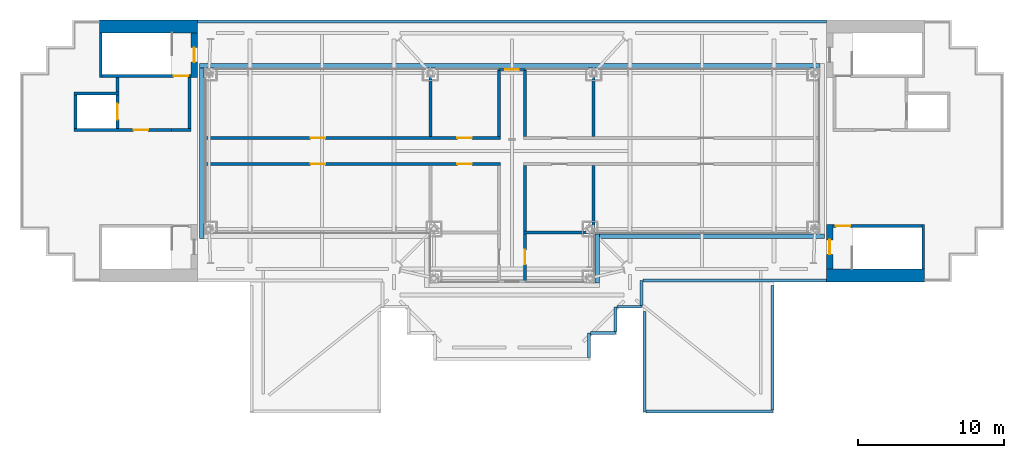
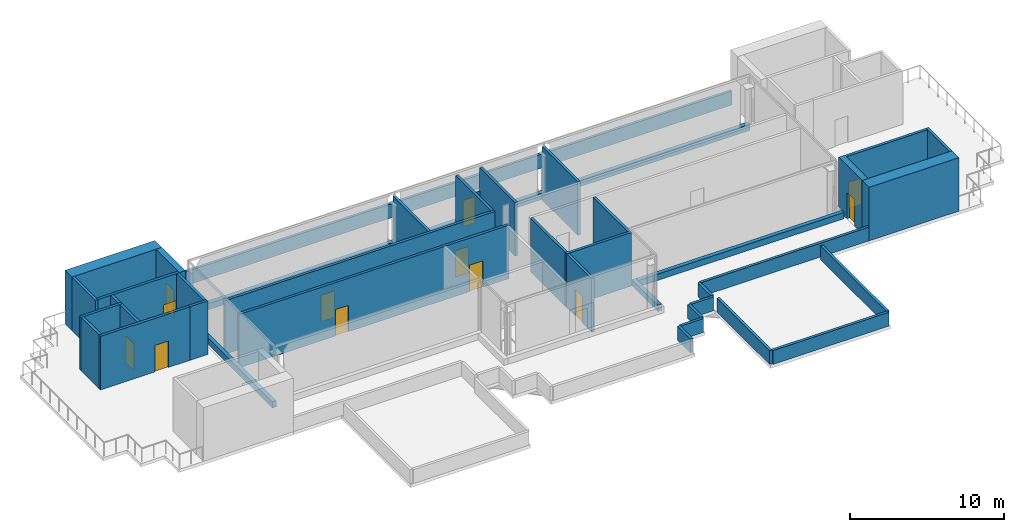
# One storey, part 4 of 8: 39 walls, 12 doors, 12 openings.
"""IFC4 building model written with IfcOpenShell, lengths in metres."""

from ifc_helpers import new_model, si_unit, direction, frame, frame_2d, origin, place, context, subcontext, project, spatial, rectangle, extrude, material, layer, layer_set, type_object, element, fill, save


model = new_model("IFC4")

# Units and contexts
model_context = context("Model", 3, precision=1e-05, world=origin(), true_north=direction((0.0, 1.0)))
body_context = subcontext(model_context, "Body", "Model", "MODEL_VIEW")
ifc_project = project(units=[si_unit("LENGTHUNIT", "METRE"), si_unit("AREAUNIT", "SQUARE_METRE"), si_unit("VOLUMEUNIT", "CUBIC_METRE"), si_unit("PLANEANGLEUNIT", "RADIAN"), si_unit("MASSUNIT", "GRAM", prefix="KILO")], contexts=[model_context])

# Site, building, storey
site_placement = place(None, origin())
site = spatial("IfcSite", under=ifc_project, at=site_placement, CompositionType="ELEMENT")
building_placement = place(site_placement, origin())
building = spatial("IfcBuilding", under=site, at=building_placement, Name="Perihelion Cross Residences", CompositionType="ELEMENT")
storey_placement = place(building_placement, frame((0.0, 0.0, 298.800048828125)))
storey = spatial("IfcBuildingStorey", under=building, at=storey_placement, Name="L76", CompositionType="ELEMENT", Elevation=298.800048828125)

# Wall, openings, doors
ifc_material_1 = material(Name="Plasterboard partition")
ifc_layer_1 = layer(ifc_material_1, 0.199951171875)
ifc_layer_set_1 = layer_set([ifc_layer_1], Name="Apartment riser wall 200")
wall_type_1 = type_object("IfcWallType", Name="Apartment riser wall 200", PredefinedType="PARTITIONING", material=ifc_layer_set_1)
wall_1_placement = place(storey_placement, frame((-21.057373046875, 0.89990234375, 0.0), z_axis=(0.0, 0.0, 1.0), x_axis=(1.0, 0.0, 0.0)))
wall_1 = element("IfcWall", 1, at=wall_1_placement, inside=storey, type_object=wall_type_1, Name="Partition L76 W003", PredefinedType="PARTITIONING", context=body_context, shape_type="SweptSolid", body=[
    extrude(rectangle(XDim=20.25732421875, YDim=0.199951171875, at=frame_2d((10.128662109375, 0.0))), origin(), (0.0, 0.0, 1.0), 4.25),
])
opening_1_placement = place(wall_1_placement, frame((7.22509765625, 0.0, 0.0)))
opening_1 = element("IfcOpeningElement", 2, at=opening_1_placement, cuts=wall_1, Name="Opening L76.A03", PredefinedType="OPENING", context=body_context, shape_type="SweptSolid", body=[
    extrude(rectangle(XDim=1.0, YDim=2.10009765625, at=frame_2d((0.5, 1.050048828125))), frame((0.0, 0.10986328125, 0.0), z_axis=(0.0, -1.0, 0.0), x_axis=(1.0, 0.0, 0.0)), (0.0, 0.0, 1.0), 0.219970703125),
])
opening_2_placement = place(wall_1_placement, frame((17.303955078125, 0.0, 0.0)))
opening_2 = element("IfcOpeningElement", 3, at=opening_2_placement, cuts=wall_1, Name="Opening L76.A07", PredefinedType="OPENING", context=body_context, shape_type="SweptSolid", body=[
    extrude(rectangle(XDim=1.0, YDim=2.10009765625, at=frame_2d((0.5, 1.050048828125))), frame((0.0, 0.10986328125, 0.0), z_axis=(0.0, -1.0, 0.0), x_axis=(1.0, 0.0, 0.0)), (0.0, 0.0, 1.0), 0.219970703125),
])
ifc_material_2 = material(Name="Steel door leaf", Category="steel")
door_type_1 = type_object("IfcDoorType", Name="Plant floor door 1000 x 2100", OperationType="SINGLE_SWING_LEFT", PredefinedType="DOOR", material=ifc_material_2)
door_1_placement = place(opening_1_placement, origin())
door_1 = element("IfcDoor", 4, at=door_1_placement, inside=storey, type_object=door_type_1, Name="Door L76.A03", OperationType="SINGLE_SWING_LEFT", OverallHeight=2.10009765625, OverallWidth=1.0, PredefinedType="DOOR", context=body_context, shape_type="SweptSolid", body=[
    extrude(rectangle(XDim=1.0, YDim=2.10009765625, at=frame_2d((0.5, 1.050048828125))), frame((0.0, 0.02490234375, 0.0), z_axis=(0.0, -1.0, 0.0), x_axis=(1.0, 0.0, 0.0)), (0.0, 0.0, 1.0), 0.050048828125),
])
fill(opening_1, door_1)
door_2_placement = place(opening_2_placement, origin())
door_2 = element("IfcDoor", 5, at=door_2_placement, inside=storey, type_object=door_type_1, Name="Door L76.A07", OperationType="SINGLE_SWING_LEFT", OverallHeight=2.10009765625, OverallWidth=1.0, PredefinedType="DOOR", context=body_context, shape_type="SweptSolid", body=[
    extrude(rectangle(XDim=1.0, YDim=2.10009765625, at=frame_2d((0.5, 1.050048828125))), frame((0.0, 0.02490234375, 0.0), z_axis=(0.0, -1.0, 0.0), x_axis=(1.0, 0.0, 0.0)), (0.0, 0.0, 1.0), 0.050048828125),
])
fill(opening_2, door_2)

wall_2_placement = place(storey_placement, frame((-0.800048828125, -0.89990234375, 0.0), z_axis=(0.0, 0.0, 1.0), x_axis=(-1.0, 0.0, 0.0)))
wall_2 = element("IfcWall", 6, at=wall_2_placement, inside=storey, type_object=wall_type_1, Name="Partition L76 W004", PredefinedType="PARTITIONING", context=body_context, shape_type="SweptSolid", body=[
    extrude(rectangle(XDim=20.25732421875, YDim=0.199951171875, at=frame_2d((10.128662109375, 0.0))), origin(), (0.0, 0.0, 1.0), 4.25),
])
opening_3_placement = place(wall_2_placement, frame((12.0322265625, 0.0, 0.0)))
opening_3 = element("IfcOpeningElement", 7, at=opening_3_placement, cuts=wall_2, Name="Opening L76.A04", PredefinedType="OPENING", context=body_context, shape_type="SweptSolid", body=[
    extrude(rectangle(XDim=1.0, YDim=2.10009765625, at=frame_2d((0.5, 1.050048828125))), frame((0.0, 0.10986328125, 0.0), z_axis=(0.0, -1.0, 0.0), x_axis=(1.0, 0.0, 0.0)), (0.0, 0.0, 1.0), 0.219970703125),
])
opening_4_placement = place(wall_2_placement, frame((1.95361328125, 0.0, 0.0)))
opening_4 = element("IfcOpeningElement", 8, at=opening_4_placement, cuts=wall_2, Name="Opening L76.A08", PredefinedType="OPENING", context=body_context, shape_type="SweptSolid", body=[
    extrude(rectangle(XDim=1.0, YDim=2.10009765625, at=frame_2d((0.5, 1.050048828125))), frame((0.0, 0.10986328125, 0.0), z_axis=(0.0, -1.0, 0.0), x_axis=(1.0, 0.0, 0.0)), (0.0, 0.0, 1.0), 0.219970703125),
])
door_3_placement = place(opening_3_placement, origin())
door_3 = element("IfcDoor", 9, at=door_3_placement, inside=storey, type_object=door_type_1, Name="Door L76.A04", OperationType="SINGLE_SWING_LEFT", OverallHeight=2.10009765625, OverallWidth=1.0, PredefinedType="DOOR", context=body_context, shape_type="SweptSolid", body=[
    extrude(rectangle(XDim=1.0, YDim=2.10009765625, at=frame_2d((0.5, 1.050048828125))), frame((0.0, 0.02490234375, 0.0), z_axis=(0.0, -1.0, 0.0), x_axis=(1.0, 0.0, 0.0)), (0.0, 0.0, 1.0), 0.050048828125),
])
fill(opening_3, door_3)
door_4_placement = place(opening_4_placement, origin())
door_4 = element("IfcDoor", 10, at=door_4_placement, inside=storey, type_object=door_type_1, Name="Door L76.A08", OperationType="SINGLE_SWING_LEFT", OverallHeight=2.10009765625, OverallWidth=1.0, PredefinedType="DOOR", context=body_context, shape_type="SweptSolid", body=[
    extrude(rectangle(XDim=1.0, YDim=2.10009765625, at=frame_2d((0.5, 1.050048828125))), frame((0.0, 0.02490234375, 0.0), z_axis=(0.0, -1.0, 0.0), x_axis=(1.0, 0.0, 0.0)), (0.0, 0.0, 1.0), 0.050048828125),
])
fill(opening_4, door_4)

# Wall
wall_3_placement = place(storey_placement, frame((0.89990234375, 5.60693359375, 0.0), z_axis=(0.0, 0.0, 1.0), x_axis=(0.0, -1.0, 0.0)))
element("IfcWall", 11, at=wall_3_placement, inside=storey, type_object=wall_type_1, Name="Partition L76 W005", PredefinedType="PARTITIONING", context=body_context, shape_type="SweptSolid", body=[
    extrude(rectangle(XDim=4.60693359375, YDim=0.199951171875, at=frame_2d((2.303466796875, 0.0))), origin(), (0.0, 0.0, 1.0), 4.25),
])

# Wall, opening, door
wall_4_placement = place(storey_placement, frame((0.89990234375, -1.0, 0.0), z_axis=(0.0, 0.0, 1.0), x_axis=(0.0, -1.0, 0.0)))
wall_4 = element("IfcWall", 12, at=wall_4_placement, inside=storey, type_object=wall_type_1, Name="Partition L76 W006", PredefinedType="PARTITIONING", context=body_context, shape_type="SweptSolid", body=[
    extrude(rectangle(XDim=7.97119140625, YDim=0.199951171875, at=frame_2d((3.985595703125, 0.0))), origin(), (0.0, 0.0, 1.0), 4.25),
])
opening_5_placement = place(wall_4_placement, frame((5.7890625, 0.0, 0.0)))
opening_5 = element("IfcOpeningElement", 13, at=opening_5_placement, cuts=wall_4, Name="Opening L76.A10", PredefinedType="OPENING", context=body_context, shape_type="SweptSolid", body=[
    extrude(rectangle(XDim=1.0, YDim=2.10009765625, at=frame_2d((0.5, 1.050048828125))), frame((0.0, 0.10986328125, 0.0), z_axis=(0.0, -1.0, 0.0), x_axis=(1.0, 0.0, 0.0)), (0.0, 0.0, 1.0), 0.219970703125),
])
door_5_placement = place(opening_5_placement, origin())
door_5 = element("IfcDoor", 14, at=door_5_placement, inside=storey, type_object=door_type_1, Name="Door L76.A10", OperationType="SINGLE_SWING_RIGHT", OverallHeight=2.10009765625, OverallWidth=1.0, PredefinedType="DOOR", context=body_context, shape_type="SweptSolid", body=[
    extrude(rectangle(XDim=1.0, YDim=2.10009765625, at=frame_2d((0.5, 1.050048828125))), frame((0.0, 0.02490234375, 0.0), z_axis=(0.0, -1.0, 0.0), x_axis=(1.0, 0.0, 0.0)), (0.0, 0.0, 1.0), 0.050048828125),
])
fill(opening_5, door_5)

# Walls
for number, where, z_axis, x_axis, name in (
    (15, (-0.89990234375, 1.0, 0.0), (0.0, 0.0, 1.0), (0.0, 1.0, 0.0), "Partition L76 W007"),
    (16, (5.60693359375, 1.0, 0.0), (0.0, 0.0, 1.0), (0.0, 1.0, 0.0), "Partition L76 W009"),
):
    element("IfcWall", number, at=place(storey_placement, frame(where, z_axis=z_axis, x_axis=x_axis)), inside=storey, type_object=wall_type_1, Name=name, PredefinedType="PARTITIONING", context=body_context, shape_type="SweptSolid", body=[
        extrude(rectangle(XDim=4.60693359375, YDim=0.199951171875, at=frame_2d((2.303466796875, 0.0))), origin(), (0.0, 0.0, 1.0), 4.25),
    ])
wall_5_placement = place(storey_placement, frame((5.60693359375, -5.507080078125, 0.0), z_axis=(0.0, 0.0, 1.0), x_axis=(0.0, 1.0, 0.0)))
element("IfcWall", 17, at=wall_5_placement, inside=storey, type_object=wall_type_1, Name="Partition L76 W010", PredefinedType="PARTITIONING", context=body_context, shape_type="SweptSolid", body=[
    extrude(rectangle(XDim=4.507080078125, YDim=0.199951171875, at=frame_2d((2.25341796875, 0.0))), origin(), (0.0, 0.0, 1.0), 4.25),
])
wall_6_placement = place(storey_placement, frame((-5.60693359375, 5.60693359375, 0.0), z_axis=(0.0, 0.0, 1.0), x_axis=(0.0, -1.0, 0.0)))
element("IfcWall", 18, at=wall_6_placement, inside=storey, type_object=wall_type_1, Name="Partition L76 W011", PredefinedType="PARTITIONING", context=body_context, shape_type="SweptSolid", body=[
    extrude(rectangle(XDim=4.60693359375, YDim=0.199951171875, at=frame_2d((2.303466796875, 0.0))), origin(), (0.0, 0.0, 1.0), 4.25),
])
wall_7_placement = place(storey_placement, frame((5.70703125, -5.60693359375, 0.0), z_axis=(0.0, 0.0, 1.0), x_axis=(-1.0, 0.0, 0.0)))
element("IfcWall", 19, at=wall_7_placement, inside=storey, type_object=wall_type_1, Name="Partition L76 W013", PredefinedType="PARTITIONING", context=body_context, shape_type="SweptSolid", body=[
    extrude(rectangle(XDim=4.906982421875, YDim=0.199951171875, at=frame_2d((2.45361328125, 0.0))), origin(), (0.0, 0.0, 1.0), 4.25),
])
ifc_material_3 = material(Name="Concrete C40/50", Category="concrete")
ifc_layer_2 = layer(ifc_material_3, 0.300048828125)
ifc_layer_set_2 = layer_set([ifc_layer_2], Name="Crown curb wall 300")
wall_type_2 = type_object("IfcWallType", Name="Crown curb wall 300", PredefinedType="PARAPET", material=ifc_layer_set_2)
wall_8_placement = place(storey_placement, frame((21.157470703125, 5.85693359375, 0.0), z_axis=(0.0, 0.0, 1.0), x_axis=(-1.0, 0.0, 0.0)))
element("IfcWall", 20, at=wall_8_placement, inside=storey, type_object=wall_type_2, Name="Wall CU1 L76 curb 1", PredefinedType="PARAPET", context=body_context, shape_type="SweptSolid", body=[
    extrude(rectangle(XDim=42.614990234375, YDim=0.300048828125, at=frame_2d((21.3076171875, 0.0))), origin(), (0.0, 0.0, 1.0), 0.5),
])
wall_9_placement = place(storey_placement, frame((-21.307373046875, 5.70703125, 0.0), z_axis=(0.0, 0.0, 1.0), x_axis=(0.0, -1.0, 0.0)))
element("IfcWall", 21, at=wall_9_placement, inside=storey, type_object=wall_type_2, Name="Wall CU1 L76 curb 2", PredefinedType="PARAPET", context=body_context, shape_type="SweptSolid", body=[
    extrude(rectangle(XDim=11.714111328125, YDim=0.300048828125, at=frame_2d((5.85693359375, 0.0))), origin(), (0.0, 0.0, 1.0), 0.5),
])
wall_10_placement = place(storey_placement, frame((5.85693359375, -9.0712890625, 0.0), z_axis=(0.0, 0.0, 1.0), x_axis=(0.0, 1.0, 0.0)))
element("IfcWall", 22, at=wall_10_placement, inside=storey, type_object=wall_type_2, Name="Wall CU1 L76 curb 6", PredefinedType="PARAPET", context=body_context, shape_type="SweptSolid", body=[
    extrude(rectangle(XDim=3.3642578125, YDim=0.300048828125, at=frame_2d((1.68212890625, 0.0))), origin(), (0.0, 0.0, 1.0), 0.5),
])
wall_11_placement = place(storey_placement, frame((6.007080078125, -5.85693359375, 0.0), z_axis=(0.0, 0.0, 1.0), x_axis=(1.0, 0.0, 0.0)))
element("IfcWall", 23, at=wall_11_placement, inside=storey, type_object=wall_type_2, Name="Wall CU1 L76 curb 7", PredefinedType="PARAPET", context=body_context, shape_type="SweptSolid", body=[
    extrude(rectangle(XDim=15.450439453125, YDim=0.300048828125, at=frame_2d((7.72509765625, 0.0))), origin(), (0.0, 0.0, 1.0), 0.5),
])

# Wall, opening, door
ifc_material_4 = material(Name="Plasterboard partition")
ifc_layer_3 = layer(ifc_material_4, 0.1201171875)
ifc_layer_set_3 = layer_set([ifc_layer_3], Name="Infill panel 120")
wall_type_3 = type_object("IfcWallType", Name="Infill panel 120", PredefinedType="PARTITIONING", material=ifc_layer_set_3)
wall_12_placement = place(storey_placement, frame((-0.89990234375, 5.60693359375, 0.0), z_axis=(0.0, 0.0, 1.0), x_axis=(1.0, 0.0, 0.0)))
wall_12 = element("IfcWall", 24, at=wall_12_placement, inside=storey, type_object=wall_type_3, Name="Partition L76 WI01", PredefinedType="PARTITIONING", context=body_context, shape_type="SweptSolid", body=[
    extrude(rectangle(XDim=1.7998046875, YDim=0.1201171875, at=frame_2d((0.89990234375, 0.0))), origin(), (0.0, 0.0, 1.0), 2.39990234375),
])
opening_6_placement = place(wall_12_placement, frame((0.449951171875, 0.0, 0.0)))
opening_6 = element("IfcOpeningElement", 25, at=opening_6_placement, cuts=wall_12, Name="Opening L76.A11", PredefinedType="OPENING", context=body_context, shape_type="SweptSolid", body=[
    extrude(rectangle(XDim=0.89990234375, YDim=2.10009765625, at=frame_2d((0.449951171875, 1.050048828125))), frame((0.0, 0.070068359375, 0.0), z_axis=(0.0, -1.0, 0.0), x_axis=(1.0, 0.0, 0.0)), (0.0, 0.0, 1.0), 0.14013671875),
])
ifc_material_5 = material(Name="Timber door leaf", Category="wood")
door_type_2 = type_object("IfcDoorType", Name="Interior room door 900 x 2100", OperationType="SINGLE_SWING_LEFT", PredefinedType="DOOR", material=ifc_material_5)
door_6_placement = place(opening_6_placement, origin())
door_6 = element("IfcDoor", 26, at=door_6_placement, inside=storey, type_object=door_type_2, Name="Door L76.A11", OperationType="SINGLE_SWING_RIGHT", OverallHeight=2.10009765625, OverallWidth=0.89990234375, PredefinedType="DOOR", context=body_context, shape_type="SweptSolid", body=[
    extrude(rectangle(XDim=0.89990234375, YDim=2.10009765625, at=frame_2d((0.449951171875, 1.050048828125))), frame((0.0, 0.02490234375, 0.0), z_axis=(0.0, -1.0, 0.0), x_axis=(1.0, 0.0, 0.0)), (0.0, 0.0, 1.0), 0.050048828125),
])
fill(opening_6, door_6)

# Walls
ifc_material_6 = material(Name="Concrete C50/60", Category="concrete")
ifc_layer_4 = layer(ifc_material_6, 0.199951171875)
ifc_layer_set_4 = layer_set([ifc_layer_4], Name="Lobby wall 200")
wall_type_4 = type_object("IfcWallType", Name="Lobby wall 200", PredefinedType="SOLIDWALL", material=ifc_layer_set_4)
wall_13_placement = place(storey_placement, frame((-23.39990234375, 1.449951171875, 0.0), z_axis=(0.0, 0.0, 1.0), x_axis=(1.0, 0.0, 0.0)))
element("IfcWall", 27, at=wall_13_placement, inside=storey, type_object=wall_type_4, Name="West core lobby wall", PredefinedType="SOLIDWALL", context=body_context, shape_type="SweptSolid", body=[
    extrude(rectangle(XDim=1.349853515625, YDim=0.199951171875, at=frame_2d((0.6748046875, 0.0))), origin(), (0.0, 0.0, 1.0), 4.25),
])
wall_14_placement = place(storey_placement, frame((-22.14990234375, 1.550048828125, 0.0), z_axis=(0.0, 0.0, 1.0), x_axis=(0.0, 1.0, 0.0)))
element("IfcWall", 28, at=wall_14_placement, inside=storey, type_object=wall_type_4, Name="West core lobby wall", PredefinedType="SOLIDWALL", context=body_context, shape_type="SweptSolid", body=[
    extrude(rectangle(XDim=3.5, YDim=0.199951171875, at=frame_2d((1.75, 0.0))), origin(), (0.0, 0.0, 1.0), 4.25),
])
wall_15_placement = place(storey_placement, frame((-27.10009765625, 4.050048828125, 0.0), z_axis=(0.0, 0.0, 1.0), x_axis=(0.0, 1.0, 0.0)))
element("IfcWall", 29, at=wall_15_placement, inside=storey, type_object=wall_type_4, Name="West core lobby wall", PredefinedType="SOLIDWALL", context=body_context, shape_type="SweptSolid", body=[
    extrude(rectangle(XDim=1.0, YDim=0.199951171875, at=frame_2d((0.5, 0.0))), origin(), (0.0, 0.0, 1.0), 4.25),
])
ifc_material_7 = material(Name="Concrete C40/50", Category="concrete")
ifc_layer_5 = layer(ifc_material_7, 0.199951171875)
ifc_layer_set_5 = layer_set([ifc_layer_5], Name="Roof parapet 200")
wall_type_5 = type_object("IfcWallType", Name="Roof parapet 200", PredefinedType="PARAPET", material=ifc_layer_set_5)
wall_16_placement = place(storey_placement, frame((21.60009765625, -8.89990234375, 0.0), z_axis=(0.0, 0.0, 1.0), x_axis=(-1.0, 0.0, 0.0)))
element("IfcWall", 30, at=wall_16_placement, inside=storey, type_object=wall_type_5, Name="Wall PP1 L76 parapet 1", PredefinedType="PARAPET", context=body_context, shape_type="SweptSolid", body=[
    extrude(rectangle(XDim=12.60009765625, YDim=0.199951171875, at=frame_2d((6.300048828125, 0.0))), origin(), (0.0, 0.0, 1.0), 1.099853515625),
])
wall_17_placement = place(storey_placement, frame((8.89990234375, -8.89990234375, 0.0), z_axis=(0.0, 0.0, 1.0), x_axis=(0.0, -1.0, 0.0)))
element("IfcWall", 31, at=wall_17_placement, inside=storey, type_object=wall_type_5, Name="Wall PP1 L76 parapet 2", PredefinedType="PARAPET", context=body_context, shape_type="SweptSolid", body=[
    extrude(rectangle(XDim=1.7001953125, YDim=0.199951171875, at=frame_2d((0.85009765625, 0.0))), origin(), (0.0, 0.0, 1.0), 1.099853515625),
])
for number, where, z_axis, x_axis, name in (
    (32, (8.89990234375, -10.699951171875, 0.0), (0.0, 0.0, 1.0), (-1.0, 0.0, 0.0), "Wall PP1 L76 parapet 3"),
    (33, (7.10009765625, -10.699951171875, 0.0), (0.0, 0.0, 1.0), (0.0, -1.0, 0.0), "Wall PP1 L76 parapet 4"),
):
    element("IfcWall", number, at=place(storey_placement, frame(where, z_axis=z_axis, x_axis=x_axis)), inside=storey, type_object=wall_type_5, Name=name, PredefinedType="PARAPET", context=body_context, shape_type="SweptSolid", body=[
        extrude(rectangle(XDim=1.699951171875, YDim=0.199951171875, at=frame_2d((0.85009765625, 0.0))), origin(), (0.0, 0.0, 1.0), 1.099853515625),
    ])
wall_18_placement = place(storey_placement, frame((7.10009765625, -12.5, 0.0), z_axis=(0.0, 0.0, 1.0), x_axis=(-1.0, 0.0, 0.0)))
element("IfcWall", 34, at=wall_18_placement, inside=storey, type_object=wall_type_5, Name="Wall PP1 L76 parapet 5", PredefinedType="PARAPET", context=body_context, shape_type="SweptSolid", body=[
    extrude(rectangle(XDim=1.7001953125, YDim=0.199951171875, at=frame_2d((0.85009765625, 0.0))), origin(), (0.0, 0.0, 1.0), 1.099853515625),
])
wall_19_placement = place(storey_placement, frame((5.300048828125, -12.5, 0.0), z_axis=(0.0, 0.0, 1.0), x_axis=(0.0, -1.0, 0.0)))
element("IfcWall", 35, at=wall_19_placement, inside=storey, type_object=wall_type_5, Name="Wall PP1 L76 parapet 6", PredefinedType="PARAPET", context=body_context, shape_type="SweptSolid", body=[
    extrude(rectangle(XDim=1.699951171875, YDim=0.199951171875, at=frame_2d((0.85009765625, 0.0))), origin(), (0.0, 0.0, 1.0), 1.099853515625),
])
wall_20_placement = place(storey_placement, frame((-21.60009765625, 8.89990234375, 0.0), z_axis=(0.0, 0.0, 1.0), x_axis=(1.0, 0.0, 0.0)))
element("IfcWall", 36, at=wall_20_placement, inside=storey, type_object=wall_type_5, Name="Wall PP1 L76 parapet 23", PredefinedType="PARAPET", context=body_context, shape_type="SweptSolid", body=[
    extrude(rectangle(XDim=43.2001953125, YDim=0.199951171875, at=frame_2d((21.60009765625, 0.0))), origin(), (0.0, 0.0, 1.0), 1.099853515625),
])
wall_21_placement = place(storey_placement, frame((17.89990234375, -9.25, 0.0), z_axis=(0.0, 0.0, 1.0), x_axis=(0.0, -1.0, 0.0)))
element("IfcWall", 37, at=wall_21_placement, inside=storey, type_object=wall_type_5, Name="Wall PP1 L76 pocket roof south-east 1 1", PredefinedType="PARAPET", context=body_context, shape_type="SweptSolid", body=[
    extrude(rectangle(XDim=8.550048828125, YDim=0.199951171875, at=frame_2d((4.27490234375, 0.0))), origin(), (0.0, 0.0, 1.0), 1.099853515625),
])
wall_22_placement = place(storey_placement, frame((17.89990234375, -17.89990234375, 0.0), z_axis=(0.0, 0.0, 1.0), x_axis=(-1.0, 0.0, 0.0)))
element("IfcWall", 38, at=wall_22_placement, inside=storey, type_object=wall_type_5, Name="Wall PP1 L76 pocket roof south-east 1 2", PredefinedType="PARAPET", context=body_context, shape_type="SweptSolid", body=[
    extrude(rectangle(XDim=8.699951171875, YDim=0.199951171875, at=frame_2d((4.35009765625, 0.0))), origin(), (0.0, 0.0, 1.0), 1.099853515625),
])
wall_23_placement = place(storey_placement, frame((9.10009765625, -17.89990234375, 0.0), z_axis=(0.0, 0.0, 1.0), x_axis=(0.0, 1.0, 0.0)))
element("IfcWall", 39, at=wall_23_placement, inside=storey, type_object=wall_type_5, Name="Wall PP1 L76 pocket roof south-east 1 3", PredefinedType="PARAPET", context=body_context, shape_type="SweptSolid", body=[
    extrude(rectangle(XDim=6.87109375, YDim=0.199951171875, at=frame_2d((3.435546875, 0.0))), origin(), (0.0, 0.0, 1.0), 1.099853515625),
])

# Wall, opening, door
ifc_material_8 = material(Name="Concrete C50/60", Category="concrete")
ifc_layer_6 = layer(ifc_material_8, 0.199951171875)
ifc_layer_set_6 = layer_set([ifc_layer_6], Name="Shaft wall 200")
wall_type_6 = type_object("IfcWallType", Name="Shaft wall 200", PredefinedType="SOLIDWALL", material=ifc_layer_set_6)
wall_24_placement = place(storey_placement, frame((-30.10009765625, 1.449951171875, 0.0), z_axis=(0.0, 0.0, 1.0), x_axis=(1.0, 0.0, 0.0)))
wall_24 = element("IfcWall", 40, at=wall_24_placement, inside=storey, type_object=wall_type_6, Name="West core shaft wall", PredefinedType="SOLIDWALL", context=body_context, shape_type="SweptSolid", body=[
    extrude(rectangle(XDim=6.7001953125, YDim=0.199951171875, at=frame_2d((3.35009765625, 0.0))), origin(), (0.0, 0.0, 1.0), 4.25),
])
opening_7_placement = place(wall_24_placement, frame((4.10009765625, 0.0, 0.0)))
opening_7 = element("IfcOpeningElement", 41, at=opening_7_placement, cuts=wall_24, Name="Opening L76.C12", PredefinedType="OPENING", context=body_context, shape_type="SweptSolid", body=[
    extrude(rectangle(XDim=1.0, YDim=2.10009765625, at=frame_2d((0.5, 1.050048828125))), frame((0.0, 0.10986328125, 0.0), z_axis=(0.0, -1.0, 0.0), x_axis=(1.0, 0.0, 0.0)), (0.0, 0.0, 1.0), 0.219970703125),
])
ifc_material_9 = material(Name="Steel, powder coated", Category="steel")
door_type_3 = type_object("IfcDoorType", Name="Lobby door 1000", OperationType="SINGLE_SWING_LEFT", PredefinedType="DOOR", material=ifc_material_9)
door_7_placement = place(opening_7_placement, origin())
door_7 = element("IfcDoor", 42, at=door_7_placement, inside=storey, type_object=door_type_3, Name="West core firefighting lobby door", OperationType="SINGLE_SWING_LEFT", OverallHeight=2.10009765625, OverallWidth=1.0, PredefinedType="DOOR", context=body_context, shape_type="SweptSolid", body=[
    extrude(rectangle(XDim=1.0, YDim=2.10009765625, at=frame_2d((0.5, 1.050048828125))), frame((0.0, 0.02490234375, 0.0), z_axis=(0.0, -1.0, 0.0), x_axis=(1.0, 0.0, 0.0)), (0.0, 0.0, 1.0), 0.050048828125),
])
fill(opening_7, door_7)

# Wall
wall_25_placement = place(storey_placement, frame((-30.10009765625, 3.949951171875, 0.0), z_axis=(0.0, 0.0, 1.0), x_axis=(1.0, 0.0, 0.0)))
element("IfcWall", 43, at=wall_25_placement, inside=storey, type_object=wall_type_6, Name="West core shaft wall", PredefinedType="SOLIDWALL", context=body_context, shape_type="SweptSolid", body=[
    extrude(rectangle(XDim=3.10009765625, YDim=0.199951171875, at=frame_2d((1.550048828125, 0.0))), origin(), (0.0, 0.0, 1.0), 4.25),
])

# Wall, opening, door
wall_26_placement = place(storey_placement, frame((-27.10009765625, 1.550048828125, 0.0), z_axis=(0.0, 0.0, 1.0), x_axis=(0.0, 1.0, 0.0)))
wall_26 = element("IfcWall", 44, at=wall_26_placement, inside=storey, type_object=wall_type_6, Name="West core shaft wall", PredefinedType="SOLIDWALL", context=body_context, shape_type="SweptSolid", body=[
    extrude(rectangle(XDim=2.300048828125, YDim=0.199951171875, at=frame_2d((1.14990234375, 0.0))), origin(), (0.0, 0.0, 1.0), 4.25),
])
opening_8_placement = place(wall_26_placement, frame((0.60009765625, 0.0, 0.0)))
opening_8 = element("IfcOpeningElement", 45, at=opening_8_placement, cuts=wall_26, Name="Opening L76.C07", PredefinedType="OPENING", context=body_context, shape_type="SweptSolid", body=[
    extrude(rectangle(XDim=1.10009765625, YDim=2.10009765625, at=frame_2d((0.550048828125, 1.050048828125))), frame((0.0, 0.10986328125, 0.0), z_axis=(0.0, -1.0, 0.0), x_axis=(1.0, 0.0, 0.0)), (0.0, 0.0, 1.0), 0.219970703125),
])
ifc_material_10 = material(Name="Stainless steel", Category="steel")
door_type_4 = type_object("IfcDoorType", Name="Landing door, firefighting lift 1100", OperationType="DOUBLE_DOOR_SLIDING", PredefinedType="DOOR", material=ifc_material_10)
door_8_placement = place(opening_8_placement, origin())
door_8 = element("IfcDoor", 46, at=door_8_placement, inside=storey, type_object=door_type_4, Name="Landing door, West core firefighting and service lift", OperationType="DOUBLE_DOOR_SLIDING", OverallHeight=2.10009765625, OverallWidth=1.10009765625, PredefinedType="DOOR", context=body_context, shape_type="SweptSolid", body=[
    extrude(rectangle(XDim=1.10009765625, YDim=2.10009765625, at=frame_2d((0.550048828125, 1.050048828125))), frame((0.0, 0.02490234375, 0.0), z_axis=(0.0, -1.0, 0.0), x_axis=(1.0, 0.0, 0.0)), (0.0, 0.0, 1.0), 0.050048828125),
])
fill(opening_8, door_8)

# Walls
wall_27_placement = place(storey_placement, frame((-30.0, 1.550048828125, 0.0), z_axis=(0.0, 0.0, 1.0), x_axis=(0.0, 1.0, 0.0)))
element("IfcWall", 47, at=wall_27_placement, inside=storey, type_object=wall_type_6, Name="West core shaft wall", PredefinedType="SOLIDWALL", context=body_context, shape_type="SweptSolid", body=[
    extrude(rectangle(XDim=2.300048828125, YDim=0.199951171875, at=frame_2d((1.14990234375, 0.0))), origin(), (0.0, 0.0, 1.0), 4.25),
])
ifc_material_11 = material(Name="Concrete C50/60", Category="concrete")
ifc_layer_7 = layer(ifc_material_11, 0.199951171875)
ifc_layer_set_7 = layer_set([ifc_layer_7], Name="Stair wall 200")
wall_type_7 = type_object("IfcWallType", Name="Stair wall 200", PredefinedType="SOLIDWALL", material=ifc_layer_set_7)
wall_28_placement = place(storey_placement, frame((28.25, -8.10009765625, 0.0), z_axis=(0.0, 0.0, 1.0), x_axis=(0.0, 1.0, 0.0)))
element("IfcWall", 48, at=wall_28_placement, inside=storey, type_object=wall_type_7, Name="East core stair wall", PredefinedType="SOLIDWALL", context=body_context, shape_type="SweptSolid", body=[
    extrude(rectangle(XDim=3.050048828125, YDim=0.199951171875, at=frame_2d((1.52490234375, 0.0))), origin(), (0.0, 0.0, 1.0), 4.25),
])

# Wall, opening, door
wall_29_placement = place(storey_placement, frame((22.050048828125, -5.14990234375, 0.0), z_axis=(0.0, 0.0, 1.0), x_axis=(1.0, 0.0, 0.0)))
wall_29 = element("IfcWall", 49, at=wall_29_placement, inside=storey, type_object=wall_type_7, Name="East core stair wall", PredefinedType="SOLIDWALL", context=body_context, shape_type="SweptSolid", body=[
    extrude(rectangle(XDim=6.099853515625, YDim=0.199951171875, at=frame_2d((3.0498046875, 0.0))), origin(), (0.0, 0.0, 1.0), 4.25),
])
opening_9_placement = place(wall_29_placement, frame((0.199951171875, 0.0, 0.0)))
opening_9 = element("IfcOpeningElement", 50, at=opening_9_placement, cuts=wall_29, Name="Opening L76.C04", PredefinedType="OPENING", context=body_context, shape_type="SweptSolid", body=[
    extrude(rectangle(XDim=1.0, YDim=2.10009765625, at=frame_2d((0.5, 1.050048828125))), frame((0.0, 0.10986328125, 0.0), z_axis=(0.0, -1.0, 0.0), x_axis=(1.0, 0.0, 0.0)), (0.0, 0.0, 1.0), 0.219970703125),
])
ifc_material_12 = material(Name="Steel, powder coated", Category="steel")
door_type_5 = type_object("IfcDoorType", Name="Stair door 1000", OperationType="SINGLE_SWING_LEFT", PredefinedType="DOOR", material=ifc_material_12)
door_9_placement = place(opening_9_placement, origin())
door_9 = element("IfcDoor", 51, at=door_9_placement, inside=storey, type_object=door_type_5, Name="East core stair head-house door", OperationType="SINGLE_SWING_LEFT", OverallHeight=2.10009765625, OverallWidth=1.0, PredefinedType="DOOR", context=body_context, shape_type="SweptSolid", body=[
    extrude(rectangle(XDim=1.0, YDim=2.10009765625, at=frame_2d((0.5, 1.050048828125))), frame((0.0, 0.02490234375, 0.0), z_axis=(0.0, -1.0, 0.0), x_axis=(1.0, 0.0, 0.0)), (0.0, 0.0, 1.0), 0.050048828125),
])
fill(opening_9, door_9)

# Wall
wall_30_placement = place(storey_placement, frame((-28.25, 5.050048828125, 0.0), z_axis=(0.0, 0.0, 1.0), x_axis=(0.0, 1.0, 0.0)))
element("IfcWall", 52, at=wall_30_placement, inside=storey, type_object=wall_type_7, Name="West core stair wall", PredefinedType="SOLIDWALL", context=body_context, shape_type="SweptSolid", body=[
    extrude(rectangle(XDim=3.050048828125, YDim=0.199951171875, at=frame_2d((1.52490234375, 0.0))), origin(), (0.0, 0.0, 1.0), 4.25),
])

# Wall, opening, door
wall_31_placement = place(storey_placement, frame((-28.14990234375, 5.14990234375, 0.0), z_axis=(0.0, 0.0, 1.0), x_axis=(1.0, 0.0, 0.0)))
wall_31 = element("IfcWall", 53, at=wall_31_placement, inside=storey, type_object=wall_type_7, Name="West core stair wall", PredefinedType="SOLIDWALL", context=body_context, shape_type="SweptSolid", body=[
    extrude(rectangle(XDim=6.099853515625, YDim=0.199951171875, at=frame_2d((3.0498046875, 0.0))), origin(), (0.0, 0.0, 1.0), 4.25),
])
opening_10_placement = place(wall_31_placement, frame((4.89990234375, 0.0, 0.0)))
opening_10 = element("IfcOpeningElement", 54, at=opening_10_placement, cuts=wall_31, Name="Opening L76.C11", PredefinedType="OPENING", context=body_context, shape_type="SweptSolid", body=[
    extrude(rectangle(XDim=1.0, YDim=2.10009765625, at=frame_2d((0.5, 1.050048828125))), frame((0.0, 0.10986328125, 0.0), z_axis=(0.0, -1.0, 0.0), x_axis=(1.0, 0.0, 0.0)), (0.0, 0.0, 1.0), 0.219970703125),
])
door_10_placement = place(opening_10_placement, origin())
door_10 = element("IfcDoor", 55, at=door_10_placement, inside=storey, type_object=door_type_5, Name="West core stair head-house door", OperationType="SINGLE_SWING_LEFT", OverallHeight=2.10009765625, OverallWidth=1.0, PredefinedType="DOOR", context=body_context, shape_type="SweptSolid", body=[
    extrude(rectangle(XDim=1.0, YDim=2.10009765625, at=frame_2d((0.5, 1.050048828125))), frame((0.0, 0.02490234375, 0.0), z_axis=(0.0, -1.0, 0.0), x_axis=(1.0, 0.0, 0.0)), (0.0, 0.0, 1.0), 0.050048828125),
])
fill(opening_10, door_10)

ifc_material_13 = material(Name="Concrete C50/60", Category="concrete")
ifc_layer_8 = layer(ifc_material_13, 0.449951171875)
ifc_layer_set_8 = layer_set([ifc_layer_8], Name="Stair wall 450")
wall_type_8 = type_object("IfcWallType", Name="Stair wall 450", PredefinedType="SOLIDWALL", material=ifc_layer_set_8)
wall_32_placement = place(storey_placement, frame((21.824951171875, -8.10009765625, 0.0), z_axis=(0.0, 0.0, 1.0), x_axis=(0.0, 1.0, 0.0)))
wall_32 = element("IfcWall", 56, at=wall_32_placement, inside=storey, type_object=wall_type_8, Name="East core stair wall", PredefinedType="SOLIDWALL", context=body_context, shape_type="SweptSolid", body=[
    extrude(rectangle(XDim=3.050048828125, YDim=0.449951171875, at=frame_2d((1.52490234375, 0.0))), origin(), (0.0, 0.0, 1.0), 4.25),
])
opening_11_placement = place(wall_32_placement, frame((1.0, 0.0, 0.0)))
opening_11 = element("IfcOpeningElement", 57, at=opening_11_placement, cuts=wall_32, Name="Opening L76.C02", PredefinedType="OPENING", context=body_context, shape_type="SweptSolid", body=[
    extrude(rectangle(XDim=1.0, YDim=2.10009765625, at=frame_2d((0.5, 1.050048828125))), frame((0.0, 0.23486328125, 0.0), z_axis=(0.0, -1.0, 0.0), x_axis=(1.0, 0.0, 0.0)), (0.0, 0.0, 1.0), 0.469970703125),
])
door_11_placement = place(opening_11_placement, origin())
door_11 = element("IfcDoor", 58, at=door_11_placement, inside=storey, type_object=door_type_5, Name="East core stair roof door", OperationType="SINGLE_SWING_LEFT", OverallHeight=2.10009765625, OverallWidth=1.0, PredefinedType="DOOR", context=body_context, shape_type="SweptSolid", body=[
    extrude(rectangle(XDim=1.0, YDim=2.10009765625, at=frame_2d((0.5, 1.050048828125))), frame((0.0, 0.02490234375, 0.0), z_axis=(0.0, -1.0, 0.0), x_axis=(1.0, 0.0, 0.0)), (0.0, 0.0, 1.0), 0.050048828125),
])
fill(opening_11, door_11)

wall_33_placement = place(storey_placement, frame((-21.824951171875, 5.050048828125, 0.0), z_axis=(0.0, 0.0, 1.0), x_axis=(0.0, 1.0, 0.0)))
wall_33 = element("IfcWall", 59, at=wall_33_placement, inside=storey, type_object=wall_type_8, Name="West core stair wall", PredefinedType="SOLIDWALL", context=body_context, shape_type="SweptSolid", body=[
    extrude(rectangle(XDim=3.050048828125, YDim=0.449951171875, at=frame_2d((1.52490234375, 0.0))), origin(), (0.0, 0.0, 1.0), 4.25),
])
opening_12_placement = place(wall_33_placement, frame((1.050048828125, 0.0, 0.0)))
opening_12 = element("IfcOpeningElement", 60, at=opening_12_placement, cuts=wall_33, Name="Opening L76.C09", PredefinedType="OPENING", context=body_context, shape_type="SweptSolid", body=[
    extrude(rectangle(XDim=1.0, YDim=2.10009765625, at=frame_2d((0.5, 1.050048828125))), frame((0.0, 0.23486328125, 0.0), z_axis=(0.0, -1.0, 0.0), x_axis=(1.0, 0.0, 0.0)), (0.0, 0.0, 1.0), 0.469970703125),
])
door_12_placement = place(opening_12_placement, origin())
door_12 = element("IfcDoor", 61, at=door_12_placement, inside=storey, type_object=door_type_5, Name="West core stair roof door", OperationType="SINGLE_SWING_LEFT", OverallHeight=2.10009765625, OverallWidth=1.0, PredefinedType="DOOR", context=body_context, shape_type="SweptSolid", body=[
    extrude(rectangle(XDim=1.0, YDim=2.10009765625, at=frame_2d((0.5, 1.050048828125))), frame((0.0, 0.02490234375, 0.0), z_axis=(0.0, -1.0, 0.0), x_axis=(1.0, 0.0, 0.0)), (0.0, 0.0, 1.0), 0.050048828125),
])
fill(opening_12, door_12)

# Walls
ifc_material_14 = material(Name="Concrete C50/60", Category="concrete")
ifc_layer_9 = layer(ifc_material_14, 0.89990234375)
ifc_layer_set_9 = layer_set([ifc_layer_9], Name="Stair wall 900")
wall_type_9 = type_object("IfcWallType", Name="Stair wall 900", PredefinedType="SOLIDWALL", material=ifc_layer_set_9)
for number, where, z_axis, x_axis, name in (
    (62, (21.60009765625, -8.550048828125, 0.0), (0.0, 0.0, 1.0), (1.0, 0.0, 0.0), "East core stair wall"),
    (63, (-28.35009765625, 8.550048828125, 0.0), (0.0, 0.0, 1.0), (1.0, 0.0, 0.0), "West core stair wall"),
):
    element("IfcWall", number, at=place(storey_placement, frame(where, z_axis=z_axis, x_axis=x_axis)), inside=storey, type_object=wall_type_9, Name=name, PredefinedType="SOLIDWALL", context=body_context, shape_type="SweptSolid", body=[
        extrude(rectangle(XDim=6.75, YDim=0.89990234375, at=frame_2d((3.375, 0.0))), origin(), (0.0, 0.0, 1.0), 4.25),
    ])

save(model, "model.ifc")
